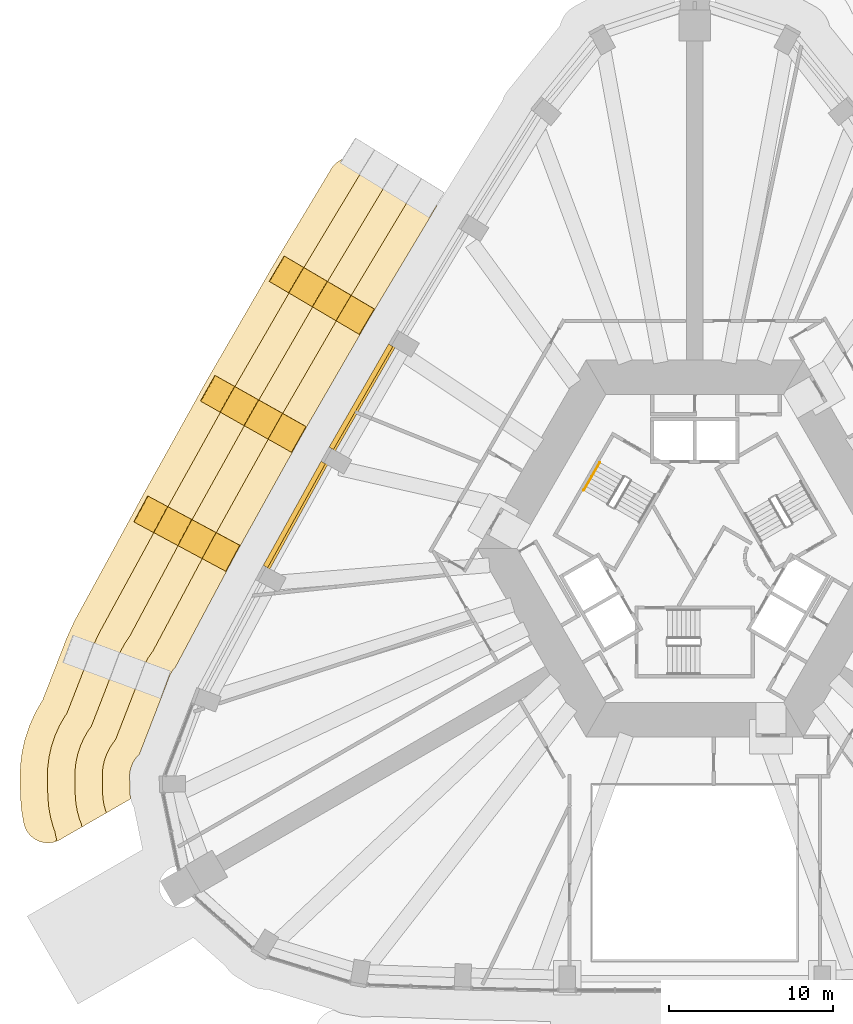
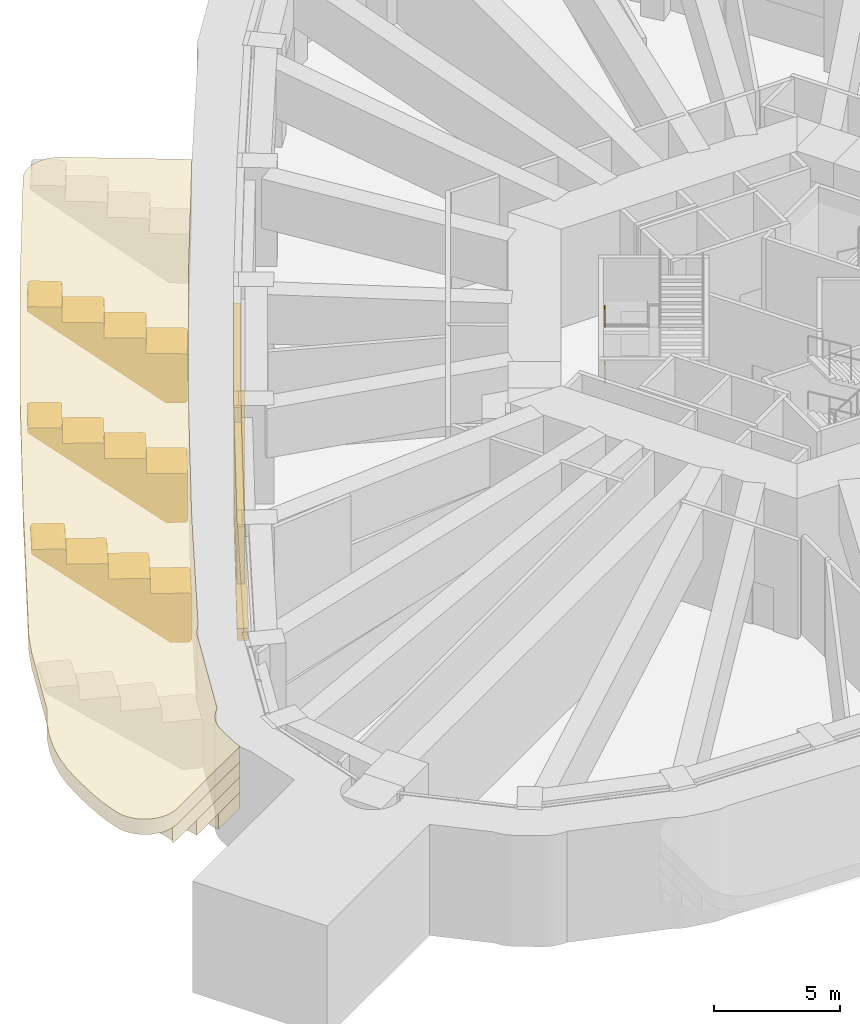
# One storey, part 17 of 21: 9 coverings, 2 railings, 2 shading devices.
"""IFC4 building model written with IfcOpenShell, lengths in metres."""

from ifc_helpers import new_model, si_unit, direction, frame, origin, origin_2d, place, context, subcontext, project, spatial, polyline, rectangle, circle, outline, extrude, material, layer, layer_set, type_object, element, save


model = new_model("IFC4")

# Units and contexts
model_context = context("Model", 3, precision=1e-05, world=origin(), true_north=direction((0.0, 1.0)))
body_context = subcontext(model_context, "Body", "Model", "MODEL_VIEW")
ifc_project = project(units=[si_unit("LENGTHUNIT", "METRE"), si_unit("AREAUNIT", "SQUARE_METRE"), si_unit("VOLUMEUNIT", "CUBIC_METRE"), si_unit("PLANEANGLEUNIT", "RADIAN"), si_unit("MASSUNIT", "GRAM", prefix="KILO")], contexts=[model_context])

# Site, building, storey
site_placement = place(None, origin())
site = spatial("IfcSite", under=ifc_project, at=site_placement, CompositionType="ELEMENT")
building_placement = place(site_placement, origin())
building = spatial("IfcBuilding", under=site, at=building_placement, Name="Entoto Arch Interchange Tower", CompositionType="ELEMENT")
storey_placement = place(building_placement, frame((0.0, 0.0, 236.0)))
storey = spatial("IfcBuildingStorey", under=building, at=storey_placement, Name="L53", CompositionType="ELEMENT", Elevation=236.0)

# Shading devices
ifc_material_1 = material(Name="Aluminium, anodised", Category="aluminium")
ifc_layer = layer(ifc_material_1, 0.300048828125)
ifc_layer_set = layer_set([ifc_layer], Name="Aluminium, anodised")
shading_device_type = type_object("IfcShadingDeviceType", Name="PLANT LOUVRE ALUMINIUM", PredefinedType="JALOUSIE", material=ifc_layer_set)
for number, where, z_axis, x_axis, name in (
    (1, (-20.3798828125, 11.76708984375, 1.2001953125), (0.0, 0.0, 1.0), (-0.499969769706, -0.866042856549, 0.0), "Plant louvre NW-03 L53"),
    (2, (-24.450927734375, 4.575927734375, 1.2001953125), (0.0, 0.0, 1.0), (-0.485450619665, -0.874264088172, 0.0), "Plant louvre NW-04 L53"),
):
    element("IfcShadingDevice", number, at=place(storey_placement, frame(where, z_axis=z_axis, x_axis=x_axis)), inside=storey, type_object=shading_device_type, Name=name, PredefinedType="JALOUSIE", context=body_context, shape_type="SweptSolid", body=[
        extrude(rectangle(XDim=7.26611328125, YDim=0.300048828125, at=origin_2d()), origin(), (0.0, 0.0, 1.0), 2.800048828125),
    ])

# Coverings
ifc_material_2 = material(Name="Board-marked precast concrete C50/60", Category="concrete")
covering_type_1 = type_object("IfcCoveringType", Name="PRECAST FRAME COURSE", PredefinedType="CLADDING", material=ifc_material_2)
covering_1_placement = place(storey_placement, frame((0.0, 0.0, 4.050048828125)))
element("IfcCovering", 3, at=covering_1_placement, inside=storey, type_object=covering_type_1, Name="Cantilever cornice nw-L53 1", PredefinedType="CLADDING", context=body_context, shape_type="SweptSolid", body=[
    extrude(outline(polyline([(-38.87890625, -15.341064453125), (-39.012939453125, -15.39501953125), (-39.15087890625, -15.43505859375), (-39.2919921875, -15.4619140625), (-39.43603515625, -15.47509765625), (-39.580078125, -15.47412109375), (-39.722900390625, -15.4599609375), (-39.864013671875, -15.431884765625), (-40.001953125, -15.389892578125), (-40.135009765625, -15.3359375), (-40.261962890625, -15.26904296875), (-40.383056640625, -15.18994140625), (-40.4951171875, -15.10009765625), (-40.597900390625, -14.9990234375), (-40.69091796875, -14.888916015625), (-40.77294921875, -14.77099609375), (-40.843017578125, -14.64501953125), (-40.90087890625, -14.512939453125), (-40.946044921875, -14.376953125), (-40.9560546875, -14.341064453125), (-40.988037109375, -14.197998046875), (-41.10595703125, -13.52099609375), (-41.1240234375, -13.375), (-41.158935546875, -12.902099609375), (-41.177001953125, -12.653076171875), (-41.180908203125, -12.580078125), (-41.18505859375, -12.39990234375), (-41.2041015625, -11.654052734375), (-41.2041015625, -11.580078125), (-41.18603515625, -10.85693359375), (-41.175048828125, -10.7099609375), (-41.091064453125, -10.028076171875), (-41.06591796875, -9.883056640625), (-40.916015625, -9.212890625), (-40.876953125, -9.071044921875), (-40.660888671875, -8.4189453125), (-40.60791015625, -8.281982421875), (-40.51806640625, -8.0791015625), (-40.330078125, -7.654052734375), (-40.263916015625, -7.52197265625), (-39.926025390625, -6.925048828125), (-39.876953125, -6.84912109375), (-39.876953125, -6.84912109375), (-39.85400390625, -6.81005859375), (-39.826904296875, -6.77294921875), (-39.81103515625, -6.72998046875), (-38.535888671875, -3.449951171875), (-38.533935546875, -3.445068359375), (-38.531005859375, -3.43896484375), (-38.403076171875, -3.092041015625), (-38.362060546875, -2.991943359375), (-37.89892578125, -1.972900390625), (-37.85009765625, -1.8759765625), (-35.97900390625, 1.556884765625), (-34.3349609375, 4.574951171875), (-34.324951171875, 4.593017578125), (-34.31689453125, 4.611083984375), (-34.30810546875, 4.626953125), (-34.29296875, 4.656005859375), (-33.905029296875, 5.3759765625), (-33.837890625, 5.5009765625), (-33.8330078125, 5.510009765625), (-33.781982421875, 5.60400390625), (-33.777099609375, 5.613037109375), (-30.26611328125, 11.922119140625), (-30.259033203125, 11.93603515625), (-30.2509765625, 11.949951171875), (-30.240966796875, 11.970947265625), (-30.2060546875, 12.035888671875), (-29.735107421875, 12.87109375), (-29.73095703125, 12.8779296875), (-29.69091796875, 12.948974609375), (-29.68701171875, 12.9560546875), (-27.652099609375, 16.47412109375), (-26.076904296875, 19.197998046875), (-26.070068359375, 19.2109375), (-26.06298828125, 19.22412109375), (-26.032958984375, 19.280029296875), (-25.9970703125, 19.344970703125), (-25.9580078125, 19.410888671875), (-25.509033203125, 20.172119140625), (-25.506103515625, 20.176025390625), (-25.491943359375, 20.200927734375), (-25.47705078125, 20.22509765625), (-25.47509765625, 20.22900390625), (-22.205078125, 25.674072265625), (-22.123046875, 25.797119140625), (-22.028076171875, 25.912109375), (-21.923095703125, 26.01708984375), (-21.80810546875, 26.110107421875), (-21.68505859375, 26.19189453125), (-21.552978515625, 26.260986328125), (-21.416015625, 26.31689453125), (-21.27392578125, 26.360107421875), (-21.1279296875, 26.386962890625), (-20.97998046875, 26.40087890625), (-20.83203125, 26.39892578125), (-20.68408203125, 26.383056640625), (-20.5390625, 26.35302734375), (-20.39794921875, 26.30810546875), (-20.260986328125, 26.25), (-20.131103515625, 26.177978515625), (-18.47900390625, 25.157958984375), (-15.75390625, 23.47509765625), (-15.722900390625, 23.4560546875), (-15.985107421875, 23.030029296875), (-16.069091796875, 22.87890625), (-19.73193359375, 16.778076171875), (-19.739013671875, 16.76708984375), (-20.2470703125, 15.906005859375), (-20.303955078125, 15.798095703125), (-23.888916015625, 9.597900390625), (-23.89794921875, 9.58203125), (-24.388916015625, 8.7109375), (-24.425048828125, 8.64111328125), (-27.925048828125, 2.35009765625), (-27.93701171875, 2.3291015625), (-28.410888671875, 1.447998046875), (-28.429931640625, 1.407958984375), (-31.712890625, -4.7490234375), (-31.73291015625, -4.76806640625), (-31.846923828125, -4.903076171875), (-31.946044921875, -5.049072265625), (-32.031005859375, -5.2041015625), (-32.10107421875, -5.365966796875), (-32.26904296875, -5.822998046875), (-33.916015625, -10.075927734375), (-34.010986328125, -10.166015625), (-34.126953125, -10.300048828125), (-34.22802734375, -10.444091796875), (-34.31494140625, -10.597900390625), (-34.386962890625, -10.760009765625), (-34.44189453125, -10.927001953125), (-34.48095703125, -11.10009765625), (-34.501953125, -11.27490234375), (-34.507080078125, -11.451904296875), (-34.48193359375, -12.450927734375), (-34.468994140625, -12.626953125), (-34.44091796875, -12.787109375), (-37.700927734375, -14.6689453125), (-38.7509765625, -15.27587890625), (-38.87890625, -15.341064453125)])), origin(), (0.0, 0.0, 1.0), 0.75),
])
covering_2_placement = place(storey_placement, frame((0.0, 0.0, 3.300048828125)))
element("IfcCovering", 4, at=covering_2_placement, inside=storey, type_object=covering_type_1, Name="Cantilever cornice nw-L53 2", PredefinedType="CLADDING", context=body_context, shape_type="SweptSolid", body=[
    extrude(outline(polyline([(-38.87890625, -15.341064453125), (-39.012939453125, -15.39501953125), (-39.037109375, -15.402099609375), (-38.97607421875, -15.261962890625), (-39.074951171875, -14.777099609375), (-39.1630859375, -14.549072265625), (-39.342041015625, -13.903076171875), (-39.4560546875, -13.242919921875), (-39.506103515625, -12.574951171875), (-39.530029296875, -11.575927734375), (-39.513916015625, -10.906005859375), (-39.431884765625, -10.240966796875), (-39.284912109375, -9.587890625), (-39.074951171875, -8.951904296875), (-38.803955078125, -8.339111328125), (-38.47412109375, -7.757080078125), (-38.3369140625, -7.56201171875), (-36.967041015625, -4.0390625), (-36.81298828125, -3.6220703125), (-36.405029296875, -2.72509765625), (-32.85107421875, 3.798095703125), (-32.8349609375, 3.8310546875), (-32.361083984375, 4.7109375), (-32.31591796875, 4.7939453125), (-28.800048828125, 11.112060546875), (-28.76611328125, 11.180908203125), (-28.27392578125, 12.051025390625), (-28.239013671875, 12.114013671875), (-24.6279296875, 18.35791015625), (-24.573974609375, 18.4609375), (-24.06494140625, 19.322021484375), (-24.0400390625, 19.364990234375), (-20.339111328125, 25.529052734375), (-20.260986328125, 25.6708984375), (-19.998046875, 26.095947265625), (-18.47900390625, 25.157958984375), (-15.75390625, 23.47509765625), (-15.75390625, 23.47509765625), (-15.722900390625, 23.4560546875), (-15.985107421875, 23.030029296875), (-16.069091796875, 22.87890625), (-19.73193359375, 16.778076171875), (-19.739013671875, 16.76708984375), (-20.2470703125, 15.906005859375), (-20.303955078125, 15.798095703125), (-23.888916015625, 9.597900390625), (-23.89794921875, 9.58203125), (-24.388916015625, 8.7109375), (-24.425048828125, 8.64111328125), (-27.925048828125, 2.35009765625), (-27.93701171875, 2.3291015625), (-28.410888671875, 1.447998046875), (-28.429931640625, 1.407958984375), (-31.712890625, -4.7490234375), (-31.73291015625, -4.76806640625), (-31.846923828125, -4.903076171875), (-31.946044921875, -5.049072265625), (-32.031005859375, -5.2041015625), (-32.10107421875, -5.365966796875), (-32.26904296875, -5.822998046875), (-33.916015625, -10.075927734375), (-34.010986328125, -10.166015625), (-34.126953125, -10.300048828125), (-34.22802734375, -10.444091796875), (-34.31494140625, -10.597900390625), (-34.386962890625, -10.760009765625), (-34.44189453125, -10.927001953125), (-34.48095703125, -11.10009765625), (-34.501953125, -11.27490234375), (-34.507080078125, -11.451904296875), (-34.48193359375, -12.450927734375), (-34.468994140625, -12.626953125), (-34.44091796875, -12.787109375), (-37.700927734375, -14.6689453125), (-38.7509765625, -15.27587890625), (-38.87890625, -15.341064453125)])), origin(), (0.0, 0.0, 1.0), 0.75),
])
covering_3_placement = place(storey_placement, frame((0.0, 0.0, 2.550048828125)))
element("IfcCovering", 5, at=covering_3_placement, inside=storey, type_object=covering_type_1, Name="Cantilever cornice nw-L53 3", PredefinedType="CLADDING", context=body_context, shape_type="SweptSolid", body=[
    extrude(outline(polyline([(-18.47900390625, 25.157958984375), (-15.75390625, 23.47509765625), (-15.75390625, 23.47509765625), (-15.722900390625, 23.4560546875), (-15.985107421875, 23.030029296875), (-16.069091796875, 22.87890625), (-19.73193359375, 16.778076171875), (-19.739013671875, 16.76708984375), (-20.2470703125, 15.906005859375), (-20.303955078125, 15.798095703125), (-23.888916015625, 9.597900390625), (-23.89794921875, 9.58203125), (-24.388916015625, 8.7109375), (-24.425048828125, 8.64111328125), (-27.925048828125, 2.35009765625), (-27.93701171875, 2.3291015625), (-28.410888671875, 1.447998046875), (-28.429931640625, 1.407958984375), (-31.712890625, -4.7490234375), (-31.73291015625, -4.76806640625), (-31.846923828125, -4.903076171875), (-31.946044921875, -5.049072265625), (-32.031005859375, -5.2041015625), (-32.10107421875, -5.365966796875), (-32.26904296875, -5.822998046875), (-33.916015625, -10.075927734375), (-34.010986328125, -10.166015625), (-34.126953125, -10.300048828125), (-34.22802734375, -10.444091796875), (-34.31494140625, -10.597900390625), (-34.386962890625, -10.760009765625), (-34.44189453125, -10.927001953125), (-34.48095703125, -11.10009765625), (-34.501953125, -11.27490234375), (-34.507080078125, -11.451904296875), (-34.48193359375, -12.450927734375), (-34.468994140625, -12.626953125), (-34.44091796875, -12.787109375), (-37.419921875, -14.507080078125), (-37.458984375, -14.31591796875), (-37.572998046875, -14.02294921875), (-37.70703125, -13.535888671875), (-37.7939453125, -13.0380859375), (-37.8310546875, -12.533935546875), (-37.85595703125, -11.533935546875), (-37.843017578125, -11.029052734375), (-37.781982421875, -10.527099609375), (-37.6708984375, -10.033935546875), (-37.512939453125, -9.553955078125), (-37.30810546875, -9.092041015625), (-37.05908203125, -8.653076171875), (-36.846923828125, -8.35205078125), (-35.40087890625, -4.633056640625), (-35.241943359375, -4.2041015625), (-35.0439453125, -3.739013671875), (-34.801025390625, -3.2958984375), (-34.51611328125, -2.87890625), (-34.508056640625, -2.868896484375), (-31.37890625, 2.9970703125), (-31.360107421875, 3.037109375), (-30.885986328125, 3.9169921875), (-30.85205078125, 3.97900390625), (-27.342041015625, 10.2880859375), (-27.306884765625, 10.35693359375), (-26.81591796875, 11.22802734375), (-26.7890625, 11.27490234375), (-23.18701171875, 17.50390625), (-23.132080078125, 17.60888671875), (-22.623046875, 18.469970703125), (-22.60400390625, 18.5029296875), (-18.916015625, 24.64501953125), (-18.8359375, 24.7900390625), (-18.572998046875, 25.216064453125), (-18.47900390625, 25.157958984375)])), origin(), (0.0, 0.0, 1.0), 0.75),
])
covering_4_placement = place(storey_placement, frame((0.0, 0.0, 1.800048828125)))
element("IfcCovering", 6, at=covering_4_placement, inside=storey, type_object=covering_type_1, Name="Cantilever cornice nw-L53 4", PredefinedType="CLADDING", context=body_context, shape_type="SweptSolid", body=[
    extrude(outline(polyline([(-15.75390625, 23.47509765625), (-15.75390625, 23.47509765625), (-15.722900390625, 23.4560546875), (-15.985107421875, 23.030029296875), (-16.069091796875, 22.87890625), (-19.73193359375, 16.778076171875), (-19.739013671875, 16.76708984375), (-20.2470703125, 15.906005859375), (-20.303955078125, 15.798095703125), (-23.888916015625, 9.597900390625), (-23.89794921875, 9.58203125), (-24.388916015625, 8.7109375), (-24.425048828125, 8.64111328125), (-27.925048828125, 2.35009765625), (-27.93701171875, 2.3291015625), (-28.410888671875, 1.447998046875), (-28.429931640625, 1.407958984375), (-31.712890625, -4.7490234375), (-31.73291015625, -4.76806640625), (-31.846923828125, -4.903076171875), (-31.946044921875, -5.049072265625), (-32.031005859375, -5.2041015625), (-32.10107421875, -5.365966796875), (-32.26904296875, -5.822998046875), (-33.916015625, -10.075927734375), (-34.010986328125, -10.166015625), (-34.126953125, -10.300048828125), (-34.22802734375, -10.444091796875), (-34.31494140625, -10.597900390625), (-34.386962890625, -10.760009765625), (-34.44189453125, -10.927001953125), (-34.48095703125, -11.10009765625), (-34.501953125, -11.27490234375), (-34.507080078125, -11.451904296875), (-34.48193359375, -12.450927734375), (-34.468994140625, -12.626953125), (-34.44091796875, -12.787109375), (-35.925048828125, -13.64404296875), (-35.98193359375, -13.4970703125), (-36.072998046875, -13.1689453125), (-36.131103515625, -12.8330078125), (-36.156982421875, -12.492919921875), (-36.180908203125, -11.492919921875), (-36.173095703125, -11.152099609375), (-36.131103515625, -10.81396484375), (-36.056884765625, -10.48095703125), (-35.949951171875, -10.156982421875), (-35.81201171875, -9.844970703125), (-35.64306640625, -9.548095703125), (-35.447021484375, -9.27001953125), (-35.373046875, -9.18408203125), (-33.8349609375, -5.22705078125), (-33.6708984375, -4.784912109375), (-33.5380859375, -4.470947265625), (-33.3740234375, -4.172119140625), (-33.180908203125, -3.89111328125), (-33.10693359375, -3.802978515625), (-29.905029296875, 2.201904296875), (-29.885986328125, 2.241943359375), (-29.410888671875, 3.123046875), (-29.387939453125, 3.1650390625), (-25.883056640625, 9.465087890625), (-25.847900390625, 9.533935546875), (-25.35693359375, 10.405029296875), (-25.339111328125, 10.43701171875), (-21.7451171875, 16.65087890625), (-21.68896484375, 16.758056640625), (-21.180908203125, 17.618896484375), (-21.16796875, 17.639892578125), (-17.491943359375, 23.761962890625), (-17.409912109375, 23.909912109375), (-17.14794921875, 24.3359375), (-15.75390625, 23.47509765625)])), origin(), (0.0, 0.0, 1.0), 0.75),
])
covering_5_placement = place(storey_placement, frame((-20.340087890625, 17.5859375, -0.56689453125), z_axis=(0.508282049519, 0.861186562313, 0.002657635674), x_axis=(0.745470125761, -0.438435582858, -0.502044351907)))
element("IfcCovering", 7, at=covering_5_placement, inside=storey, type_object=covering_type_1, Name="Fold rib NW03 L53", PredefinedType="CLADDING", context=body_context, shape_type="SweptSolid", body=[
    extrude(outline(polyline([(0.0, 0.0), (0.0442548702612226, 3.469446951953614e-18), (0.07138632516978541, -0.006717558296733678), (0.0976449574025315, -0.018288980660714108), (0.6811328622244839, -0.3581397209667698), (0.7127948814353059, -0.3880917983002805), (0.7346799989808879, -0.4276153516471105), (0.7433335564656016, -0.4707497134031562), (0.7422562935701373, -0.5000469708727838), (0.7352584757201267, -0.5284484745954375), (0.7237130285265396, -0.5553398934248857), (-0.3305497645896356, -2.371364992971656), (-0.3477476800480085, -2.3949765135145586), (-0.36883378928680277, -2.415200462276366), (-0.3938482837612449, -2.4306025335392087), (-0.4365211123428181, -2.4442240945351994), (-0.4802336931574872, -2.445383873981527), (-0.509371873576164, -2.4377841582948965), (-0.5362251356155863, -2.42558240559895), (-1.828760048292276, -1.6752556110265193), (-2.138540258528683, -2.206531375921991), (-2.1684969809013195, -2.2376971214752324), (-2.193511475375762, -2.253099192738075), (-2.235456305787647, -2.267141836397642), (-2.279896884772004, -2.267880533180393), (-2.3079859472093287, -2.2608902507336115), (-2.33473216931153, -2.248751281563089), (-3.653698628946766, -1.483079596587435), (-3.9630506794342883, -2.0146064955846024), (-3.9935426014930315, -2.045458323510724), (-4.0185570959674735, -2.0608603947735666), (-4.045884599040843, -2.0718160882756615), (-4.0899118549991655, -2.076181788954689), (-4.133652526033507, -2.068293153630951), (-4.1603237885305075, -2.0561966716008984), (-5.478862088416859, -1.290776120726941), (-5.7888242981956886, -1.8219466149565178), (-5.819027180774788, -1.8529664970739574), (-5.844223674791652, -1.8682632976709064), (-5.871658217802244, -1.879156207647577), (-5.914957475590878, -1.8839429909901804), (-5.958516147082797, -1.876159626332337), (-5.985262369184998, -1.8640206571618139), (-6.934475894388761, -1.3129947703666964), (-6.958826448993774, -1.2954725802636355), (-6.978335651901437, -1.2737023550901907), (-7.000544577076639, -1.2354025661294399), (-7.007860210362648, -1.206880196960996), (-7.009752011049532, -1.176703877886363), (-7.005069196854622, -1.148370055595517), (-6.995589905291718, -1.120280066671326), (-6.980513866403887, -1.0943095958801892), (-6.960093637396257, -1.0725688621973006), (-6.9367786116497, -1.0547666472091515), (-6.9104323567129295, -1.0423981457884715), (-6.88160662311944, -1.0348552183588104), (0.0, 0.0)])), origin(), (0.0, 0.0, -1.0), 1.800048828125),
])
covering_6_placement = place(storey_placement, frame((-24.514892578125, 10.388916015625, -0.56689453125), z_axis=(0.491433730304, 0.870910000428, 0.002942766542), x_axis=(0.749815778132, -0.42137949989, -0.510113336364)))
element("IfcCovering", 8, at=covering_6_placement, inside=storey, type_object=covering_type_1, Name="Fold rib NW04 L53", PredefinedType="CLADDING", context=body_context, shape_type="SweptSolid", body=[
    extrude(outline(polyline([(0.0, 0.0), (0.043556188268785725, -3.469446951953614e-18), (0.07144817655350788, -0.0074611286317535705), (0.09760328256814273, -0.019282886836124745), (0.6775975106017782, -0.3644014881619258), (0.7089808535455207, -0.3946528221912248), (0.7300701552698382, -0.43412706329246475), (0.7382049351657406, -0.4772736977872702), (0.7365456204614274, -0.5063755730619093), (0.7303221041026114, -0.5353280556895053), (0.7173779041996062, -0.5614286203735892), (-0.3534102080826024, -2.367762783781638), (-0.3705178861225201, -2.3913918919856005), (-0.3926298016152845, -2.410921386141217), (-0.4172699614737885, -2.426398258711814), (-0.46017309404186413, -2.439555256486743), (-0.504102900476932, -2.440185214122845), (-0.5321194281504149, -2.4329340713697922), (-0.5594768006576905, -2.420114561746512), (-1.8450861026469645, -1.6576411580828143), (-2.1591215614883037, -2.18640991333469), (-2.1901053336454925, -2.216858099018232), (-2.2152598727763224, -2.2320262637854213), (-2.257465565579364, -2.245600129223254), (-2.3013605698086335, -2.246245858634437), (-2.3300064635984836, -2.2386238180040805), (-2.3561399060788233, -2.226530332360327), (-3.6676121079102435, -1.4487175885289405), (-3.9822769328679497, -1.9771154459035123), (-4.013363580879604, -2.007501890026373), (-4.038518120010433, -2.022670054793562), (-4.066134885222191, -2.033257466358833), (-4.110197556235187, -2.0372107918546334), (-4.153264710832595, -2.029267609012221), (-4.179295277458469, -2.017235864929149), (-5.49117898270775, -1.2391761548550364), (-5.805535180102062, -1.7677592369116533), (-5.8363010895607434, -1.7983313542297727), (-5.86167349139008, -1.8133755873623842), (-5.889393132456301, -1.8239012573669742), (-5.933455803469299, -1.8278545828627744), (-5.976522958066706, -1.819911400020362), (-6.002736585185289, -1.8077714960777937), (-6.946979804214611, -1.2477533139218169), (-6.9709367279737675, -1.2301411094524455), (-6.998972501782701, -1.195912711408417), (-7.01176443660941, -1.1698748033421014), (-7.019550677640291, -1.1408481447451773), (-7.02063265651789, -1.1109705974464013), (-7.016095397853329, -1.082434856830412), (-7.006353991191251, -1.0544342814874224), (-6.9910356463736765, -1.028606018407233), (-6.9711366785106925, -1.0066299546194495), (-6.947235429795583, -0.9892996153400597), (-6.920571852298947, -0.9772944805984771), (-6.892097078372046, -0.9697709286208918), (0.0, 0.0)])), origin(), (0.0, 0.0, -1.0), 1.800048828125),
])
covering_7_placement = place(storey_placement, frame((-28.556884765625, 3.116943359375, -0.56689453125), z_axis=(0.474079987292, 0.880477177504, 0.002847023651), x_axis=(0.728832389378, -0.390610753592, -0.56234027721)))
element("IfcCovering", 9, at=covering_7_placement, inside=storey, type_object=covering_type_1, Name="Fold rib NW05 L53", PredefinedType="CLADDING", context=body_context, shape_type="SweptSolid", body=[
    extrude(outline(polyline([(0.0, 0.0), (0.028655158128408863, -3.469446951953614e-18), (0.05732538678412795, -0.0062115391040148925), (0.09544606049526419, -0.024755173347608895), (0.6417381709168487, -0.39744797724392483), (0.6716873855584159, -0.42991874679939446), (0.6897233333115569, -0.4702335035312935), (0.6956642369235776, -0.5141313226956613), (0.6925959824190461, -0.5433426720937103), (0.6842053840371645, -0.5715884837560192), (0.6696728179095837, -0.5968394663802148), (-0.5110884800648311, -2.333282399446753), (-0.5292309593415281, -2.3560788885581263), (-0.5525124494635126, -2.374199914480044), (-0.5784543336344877, -2.3878527464352537), (-0.6215182825316786, -2.3987194596244152), (-0.6654066965052912, -2.396625641178892), (-0.6934144958089506, -2.3873229008789085), (-0.7193591075167857, -2.373222070618172), (-1.9555576035046092, -1.53253500450246), (-2.3020519715167325, -2.040630930651583), (-2.334156839963727, -2.06957990771123), (-2.3601940880882157, -2.083167146581839), (-2.403874423412145, -2.0936170156465965), (-2.448036138934334, -2.0913369948142218), (-2.475770636689417, -2.08222045690109), (-2.501098861970514, -2.0685364707647578), (-3.7623062387655364, -1.2108435755791924), (-4.109182062591714, -1.7186771293899135), (-4.141286931038708, -1.7476261064495606), (-4.167120660944207, -1.76135510835632), (-4.195969381423915, -1.7697847350383324), (-4.239795684057372, -1.7712751318647326), (-4.281985459165155, -1.7608908558845753), (-4.308025434826504, -1.746724432539239), (-5.569232811621527, -0.8890315373536737), (-5.915396885067452, -1.3973475283733992), (-5.948213503894698, -1.4258140682240419), (-5.973869296205134, -1.4396636794330528), (-6.002895954279905, -1.4479726968128142), (-6.046722256913361, -1.4494630936392134), (-6.088734094426083, -1.4391994269613075), (-6.1149520076824935, -1.4249123943137199), (-7.021998354735467, -0.8080687244091718), (-7.053976506471977, -0.7777581441154124), (-7.070290625521036, -0.7533773930105521), (-7.0822319234557884, -0.7260656766929978), (-7.087324340809743, -0.6972101896925698), (-7.086981145361251, -0.6670365597652843), (-7.080751659521434, -0.6387929668838801), (-7.069212620116231, -0.6115043348712668), (-7.051849117219561, -0.5870010438931135), (-7.030300243012739, -0.5665172852584117), (-7.005654802477683, -0.5505071965778261), (-6.9774720702302835, -0.5395577715082549), (-6.949136977348834, -0.5346180054093561), (0.0, 0.0)])), origin(), (0.0, 0.0, -1.0), 1.800048828125),
])
covering_type_2 = type_object("IfcCoveringType", Name="PRECAST LEDGE COURSE", PredefinedType="CLADDING", material=ifc_material_2)
covering_8_placement = place(storey_placement, frame((0.0, 0.0, -1.199951171875)))
element("IfcCovering", 10, at=covering_8_placement, inside=storey, type_object=covering_type_2, Name="Precast course NW-03 L53", PredefinedType="CLADDING", context=body_context, shape_type="SweptSolid", body=[
    extrude(outline(polyline([(-22.18408203125, 8.041015625), (-22.575927734375, 8.261962890625), (-18.443115234375, 15.4208984375), (-18.054931640625, 15.19091796875), (-22.18408203125, 8.041015625)])), origin(), (0.0, 0.0, 1.0), 0.599853515625),
])
covering_9_placement = place(storey_placement, frame((0.0, 0.0, -1.199951171875)))
element("IfcCovering", 11, at=covering_9_placement, inside=storey, type_object=covering_type_2, Name="Precast course NW-04 L53", PredefinedType="CLADDING", context=body_context, shape_type="SweptSolid", body=[
    extrude(outline(polyline([(-26.18701171875, 0.818115234375), (-26.589111328125, 1.034912109375), (-22.575927734375, 8.261962890625), (-22.18408203125, 8.041015625), (-26.18701171875, 0.818115234375)])), origin(), (0.0, 0.0, 1.0), 0.599853515625),
])

# Railings
ifc_material_3 = material(Name="Stainless steel 1.4301", Category="steel")
railing_type = type_object("IfcRailingType", Name="STAIR HANDRAIL 900 STEEL", PredefinedType="HANDRAIL", material=ifc_material_3)
for number, where, name in (
    (12, (-5.800048828125, 7.75390625, 0.168701171875), "L53 ST-NW stair handrail 1"),
    (13, (-5.800048828125, 7.75390625, 2.86865234375), "L53 ST-NW stair handrail 3"),
):
    element("IfcRailing", number, at=place(storey_placement, frame(where)), inside=storey, type_object=railing_type, Name=name, PredefinedType="HANDRAIL", context=body_context, shape_type="SweptSolid", body=[
        extrude(circle(Radius=0.02392578125, at=origin_2d()), frame((0.0, 0.0, 0.8759765625), z_axis=(-0.428238462606, -0.741682559053, 0.516254589076), x_axis=(0.866011328839, -0.500024377727, 0.0)), (0.0, 0.0, 1.0), 2.288330078125),
        extrude(circle(Radius=0.02099609375, at=origin_2d()), origin(), (0.0, 0.0, 1.0), 0.851806640625),
        extrude(circle(Radius=0.02099609375, at=origin_2d()), frame((-0.489990234375, -0.8486328125, 0.5908203125)), (0.0, 0.0, 1.0), 0.851806640625),
        extrude(circle(Radius=0.02099609375, at=origin_2d()), frame((-0.97998046875, -1.697265625, 1.181396484375)), (0.0, 0.0, 1.0), 0.851806640625),
    ])

save(model, "model.ifc")
